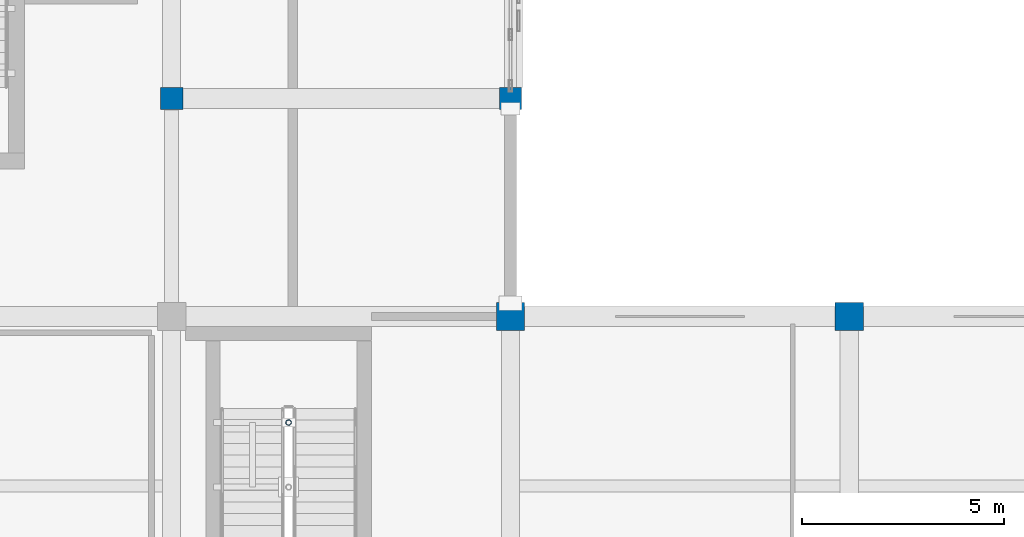
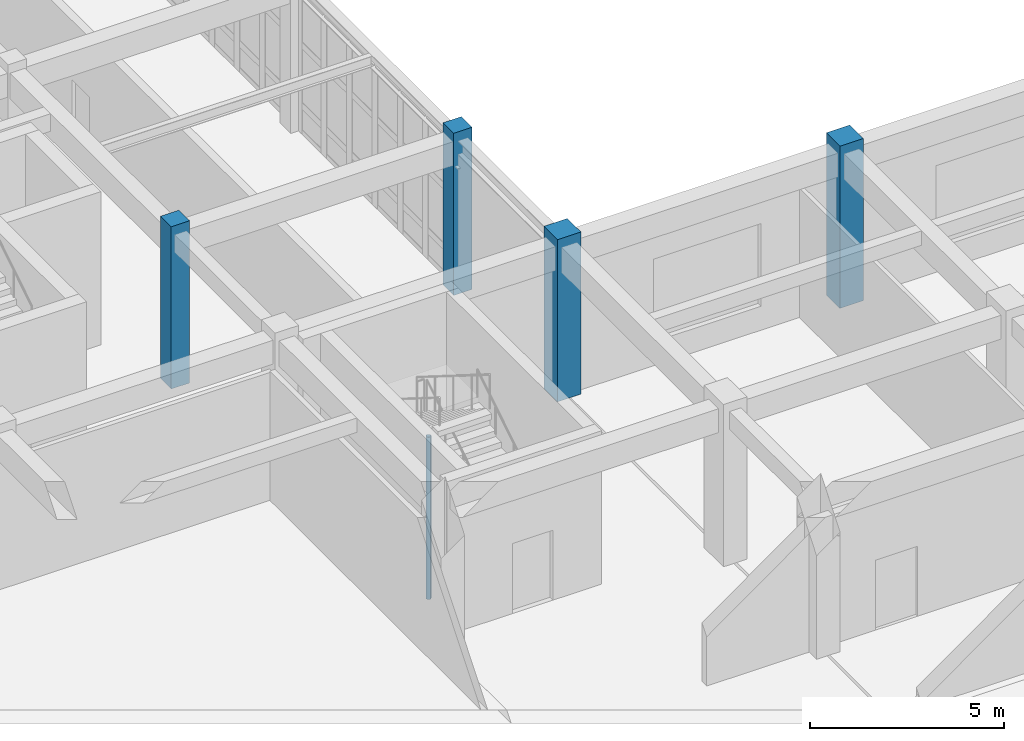
# One storey, part 7 of 106: 5 columns.
"""IFC4 building model written with IfcOpenShell, lengths in metres."""

from ifc_helpers import new_model, si_unit, direction, frame, origin, origin_2d, place, context, subcontext, project, spatial, rectangle, hollow_circle, extrude, material, material_profile, profile_set, type_object, element, save


model = new_model("IFC4")

# Units and contexts
model_context = context("Model", 3, precision=1e-05, world=origin(), true_north=direction((0.0, 1.0)))
body_context = subcontext(model_context, "Body", "Model", "MODEL_VIEW")
ifc_project = project(units=[si_unit("LENGTHUNIT", "METRE"), si_unit("AREAUNIT", "SQUARE_METRE"), si_unit("VOLUMEUNIT", "CUBIC_METRE"), si_unit("PLANEANGLEUNIT", "RADIAN"), si_unit("MASSUNIT", "GRAM", prefix="KILO")], contexts=[model_context])

# Site, building, storey
site_placement = place(None, origin())
site = spatial("IfcSite", under=ifc_project, at=site_placement, CompositionType="ELEMENT")
building_placement = place(site_placement, origin())
building = spatial("IfcBuilding", under=site, at=building_placement, Name="Krzemoval Escarpment Law Courts", CompositionType="ELEMENT")
storey_placement = place(building_placement, frame((0.0, 0.0, 5.10009765625)))
storey = spatial("IfcBuildingStorey", under=building, at=storey_placement, Name="L01", CompositionType="ELEMENT", Elevation=5.10009765625)

# Columns
ifc_material_1 = material(Name="Concrete C40/50", Category="concrete")
ifc_material_profile_1 = material_profile(ifc_material_1, rectangle(XDim=0.550048828125, YDim=0.550048828125, at=origin_2d()), Name="RC 550x550")
ifc_profile_set_1 = profile_set([ifc_material_profile_1], Name="Concrete C40/50")
column_type_1 = type_object("IfcColumnType", Name="COL-RC-550", PredefinedType="COLUMN", material=ifc_profile_set_1)
for number, where, z_axis, x_axis, name in (
    (1, (33.60009765625, 40.800048828125, 0.0), (0.0, 0.0, 1.0), (1.0, 0.0, 0.0), "Column FC-L01-0603"),
    (2, (42.0, 40.800048828125, 0.0), (0.0, 0.0, 1.0), (1.0, 0.0, 0.0), "Column FC-L01-0620"),
):
    element("IfcColumn", number, at=place(storey_placement, frame(where, z_axis=z_axis, x_axis=x_axis)), inside=storey, type_object=column_type_1, Name=name, PredefinedType="COLUMN", context=body_context, shape_type="SweptSolid", body=[
        extrude(rectangle(XDim=0.550048828125, YDim=0.550048828125, at=origin_2d()), origin(), (0.0, 0.0, 1.0), 5.099853515625),
    ])
ifc_material_2 = material(Name="Concrete C40/50", Category="concrete")
ifc_material_profile_2 = material_profile(ifc_material_2, rectangle(XDim=0.699951171875, YDim=0.699951171875, at=origin_2d()), Name="RC 700x700")
ifc_profile_set_2 = profile_set([ifc_material_profile_2], Name="Concrete C40/50")
column_type_2 = type_object("IfcColumnType", Name="COL-RC-700", PredefinedType="COLUMN", material=ifc_profile_set_2)
for number, where, z_axis, x_axis, name in (
    (3, (42.0, 35.39990234375, 0.0), (0.0, 0.0, 1.0), (1.0, 0.0, 0.0), "Column FC-L01-0619"),
    (4, (50.39990234375, 35.39990234375, 0.0), (0.0, 0.0, 1.0), (1.0, 0.0, 0.0), "Column FC-L01-0636"),
):
    element("IfcColumn", number, at=place(storey_placement, frame(where, z_axis=z_axis, x_axis=x_axis)), inside=storey, type_object=column_type_2, Name=name, PredefinedType="COLUMN", context=body_context, shape_type="SweptSolid", body=[
        extrude(rectangle(XDim=0.699951171875, YDim=0.699951171875, at=origin_2d()), origin(), (0.0, 0.0, 1.0), 5.099853515625),
    ])
ifc_material_3 = material(Name="Steel S355", Category="steel")
ifc_material_profile_3 = material_profile(ifc_material_3, hollow_circle(Radius=0.06982421875, WallThickness=0.008056640625, at=origin_2d()), Name="CHS 139.7x8")
ifc_profile_set_3 = profile_set([ifc_material_profile_3], Name="Steel S355")
column_type_3 = type_object("IfcColumnType", Name="COL-S355-CHS140", PredefinedType="COLUMN", material=ifc_profile_set_3)
column_placement = place(storey_placement, frame((36.5, 32.77001953125, -2.97998046875), z_axis=(0.0, 0.0, 1.0), x_axis=(1.0, 0.0, 0.0)))
element("IfcColumn", 5, at=column_placement, inside=storey, type_object=column_type_3, Name="Stair Well Post SCP-C7-L01-1", PredefinedType="COLUMN", context=body_context, shape_type="SweptSolid", body=[
    extrude(hollow_circle(Radius=0.06982421875, WallThickness=0.008056640625, at=origin_2d()), origin(), (0.0, 0.0, 1.0), 5.099853515625),
])

save(model, "model.ifc")
